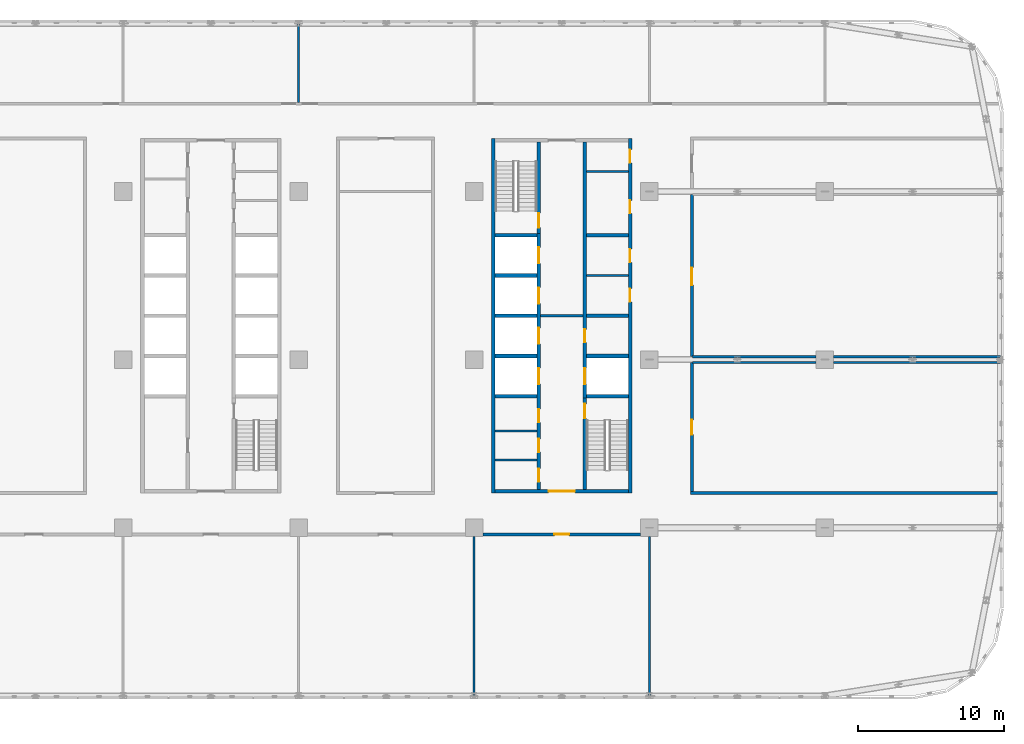
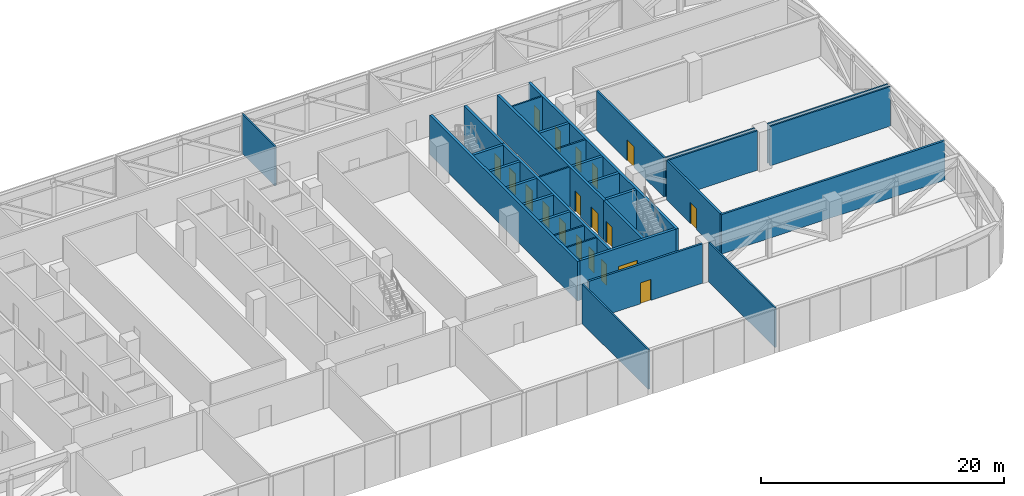
# One storey, part 12 of 26: 32 walls, 19 doors, 19 openings.
"""IFC4 building model written with IfcOpenShell, lengths in metres."""

from ifc_helpers import new_model, si_unit, direction, frame, frame_2d, origin, place, context, subcontext, project, spatial, rectangle, extrude, material, layer, layer_set, type_object, element, fill, save


model = new_model("IFC4")

# Units and contexts
model_context = context("Model", 3, precision=1e-05, world=origin(), true_north=direction((0.0, 1.0)))
body_context = subcontext(model_context, "Body", "Model", "MODEL_VIEW")
ifc_project = project(units=[si_unit("LENGTHUNIT", "METRE"), si_unit("AREAUNIT", "SQUARE_METRE"), si_unit("VOLUMEUNIT", "CUBIC_METRE"), si_unit("PLANEANGLEUNIT", "RADIAN"), si_unit("MASSUNIT", "GRAM", prefix="KILO")], contexts=[model_context])

# Site, building, storey
site_placement = place(None, origin())
site = spatial("IfcSite", under=ifc_project, at=site_placement, CompositionType="ELEMENT")
building_placement = place(site_placement, origin())
building = spatial("IfcBuilding", under=site, at=building_placement, Name="Mahtab Terrace Research Tower", CompositionType="ELEMENT")
storey_placement = place(building_placement, frame((0.0, 0.0, 189.60009765625)))
storey = spatial("IfcBuildingStorey", under=building, at=storey_placement, Name="L45", CompositionType="ELEMENT", Elevation=189.60009765625)

# Walls
ifc_material_1 = material(Name="Gypsum board partition")
ifc_layer_1 = layer(ifc_material_1, 0.14990234375)
ifc_layer_set_1 = layer_set([ifc_layer_1], Name="Core partition 150")
wall_type_1 = type_object("IfcWallType", Name="Core partition 150", PredefinedType="PARTITIONING", material=ifc_layer_set_1)
wall_1_placement = place(storey_placement, frame((22.550048828125, 3.0, 0.0), z_axis=(0.0, 0.0, 1.0), x_axis=(1.0, 0.0, 0.0)))
element("IfcWall", 1, at=wall_1_placement, inside=storey, type_object=wall_type_1, Name="Core wall C ffl", PredefinedType="PARTITIONING", context=body_context, shape_type="SweptSolid", body=[
    extrude(rectangle(XDim=2.89990234375, YDim=0.14990234375, at=frame_2d((1.449951171875, 0.0))), origin(), (0.0, 0.0, 1.0), 3.9599609375),
])
for number, where, z_axis, x_axis, name in (
    (2, (25.699951171875, 5.75, 0.0), (0.0, 0.0, 1.0), (1.0, 0.0, 0.0), "Core wall C pEL275"),
    (3, (19.449951171875, -6.875, 0.0), (0.0, 0.0, 1.0), (1.0, 0.0, 0.0), "Core wall C pWS-988"),
    (4, (19.449951171875, -4.875, 0.0), (0.0, 0.0, 1.0), (1.0, 0.0, 0.0), "Core wall C pWS-788"),
    (5, (25.699951171875, 12.875, 0.0), (0.0, 0.0, 1.0), (1.0, 0.0, 0.0), "Core wall C pEN988"),
):
    element("IfcWall", number, at=place(storey_placement, frame(where, z_axis=z_axis, x_axis=x_axis)), inside=storey, type_object=wall_type_1, Name=name, PredefinedType="PARTITIONING", context=body_context, shape_type="SweptSolid", body=[
        extrude(rectangle(XDim=2.85009765625, YDim=0.14990234375, at=frame_2d((1.425048828125, 0.0))), origin(), (0.0, 0.0, 1.0), 3.9599609375),
    ])
ifc_material_2 = material(Name="Concrete C70/85", Category="concrete")
ifc_layer_2 = layer(ifc_material_2, 0.25)
ifc_layer_set_2 = layer_set([ifc_layer_2], Name="Core wall 250")
wall_type_2 = type_object("IfcWallType", Name="Core wall 250", PredefinedType="SOLIDWALL", material=ifc_layer_set_2)
wall_2_placement = place(storey_placement, frame((19.324951171875, 15.125, 0.0), z_axis=(0.0, 0.0, 1.0), x_axis=(0.0, -1.0, 0.0)))
element("IfcWall", 6, at=wall_2_placement, inside=storey, type_object=wall_type_2, Name="Core wall C outerW", PredefinedType="SOLIDWALL", context=body_context, shape_type="SweptSolid", body=[
    extrude(rectangle(XDim=24.25, YDim=0.25, at=frame_2d((12.125, 0.0))), origin(), (0.0, 0.0, 1.0), 3.9599609375),
])

# Wall, openings, doors
wall_3_placement = place(storey_placement, frame((28.675048828125, -9.125, 0.0), z_axis=(0.0, 0.0, 1.0), x_axis=(0.0, 1.0, 0.0)))
wall_3 = element("IfcWall", 7, at=wall_3_placement, inside=storey, type_object=wall_type_2, Name="Core wall C outerE", PredefinedType="SOLIDWALL", context=body_context, shape_type="SweptSolid", body=[
    extrude(rectangle(XDim=24.25, YDim=0.25, at=frame_2d((12.125, 0.0))), origin(), (0.0, 0.0, 1.0), 3.9599609375),
])
opening_1_placement = place(wall_3_placement, frame((13.074951171875, 0.0, 0.0)))
opening_1 = element("IfcOpeningElement", 8, at=opening_1_placement, cuts=wall_3, Name="Opening C-R2", PredefinedType="OPENING", context=body_context, shape_type="SweptSolid", body=[
    extrude(rectangle(XDim=0.89990234375, YDim=2.10009765625, at=frame_2d((0.449951171875, 1.050048828125))), frame((0.0, 0.135009765625, 0.0), z_axis=(0.0, -1.0, 0.0), x_axis=(1.0, 0.0, 0.0)), (0.0, 0.0, 1.0), 0.27001953125),
])
opening_2_placement = place(wall_3_placement, frame((15.77490234375, 0.0, 0.0)))
opening_2 = element("IfcOpeningElement", 9, at=opening_2_placement, cuts=wall_3, Name="Opening C-R3", PredefinedType="OPENING", context=body_context, shape_type="SweptSolid", body=[
    extrude(rectangle(XDim=0.89990234375, YDim=2.10009765625, at=frame_2d((0.449951171875, 1.050048828125))), frame((0.0, 0.135009765625, 0.0), z_axis=(0.0, -1.0, 0.0), x_axis=(1.0, 0.0, 0.0)), (0.0, 0.0, 1.0), 0.27001953125),
])
opening_3_placement = place(wall_3_placement, frame((19.125, 0.0, 0.0)))
opening_3 = element("IfcOpeningElement", 10, at=opening_3_placement, cuts=wall_3, Name="Opening C-R7", PredefinedType="OPENING", context=body_context, shape_type="SweptSolid", body=[
    extrude(rectangle(XDim=0.89990234375, YDim=2.10009765625, at=frame_2d((0.449951171875, 1.050048828125))), frame((0.0, 0.135009765625, 0.0), z_axis=(0.0, -1.0, 0.0), x_axis=(1.0, 0.0, 0.0)), (0.0, 0.0, 1.0), 0.27001953125),
])
opening_4_placement = place(wall_3_placement, frame((22.58740234375, 0.0, 0.0)))
opening_4 = element("IfcOpeningElement", 11, at=opening_4_placement, cuts=wall_3, Name="Opening C-R8", PredefinedType="OPENING", context=body_context, shape_type="SweptSolid", body=[
    extrude(rectangle(XDim=0.89990234375, YDim=2.10009765625, at=frame_2d((0.449951171875, 1.050048828125))), frame((0.0, 0.135009765625, 0.0), z_axis=(0.0, -1.0, 0.0), x_axis=(1.0, 0.0, 0.0)), (0.0, 0.0, 1.0), 0.27001953125),
])
ifc_material_3 = material(Name="Steel fire door", Category="steel")
door_type_1 = type_object("IfcDoorType", Name="Room door 900x2100 1 HR", OperationType="NOTDEFINED", PredefinedType="DOOR", material=ifc_material_3)
door_1_placement = place(opening_1_placement, origin())
door_1 = element("IfcDoor", 12, at=door_1_placement, inside=storey, type_object=door_type_1, Name="Document store door", OperationType="SINGLE_SWING_RIGHT", OverallHeight=2.10009765625, OverallWidth=0.89990234375, PredefinedType="DOOR", context=body_context, shape_type="SweptSolid", body=[
    extrude(rectangle(XDim=0.89990234375, YDim=2.10009765625, at=frame_2d((0.449951171875, 1.050048828125))), frame((0.0, 0.02490234375, 0.0), z_axis=(0.0, -1.0, 0.0), x_axis=(1.0, 0.0, 0.0)), (0.0, 0.0, 1.0), 0.050048828125),
])
fill(opening_1, door_1)
door_2_placement = place(opening_2_placement, origin())
door_2 = element("IfcDoor", 13, at=door_2_placement, inside=storey, type_object=door_type_1, Name="IT equipment room door", OperationType="SINGLE_SWING_LEFT", OverallHeight=2.10009765625, OverallWidth=0.89990234375, PredefinedType="DOOR", context=body_context, shape_type="SweptSolid", body=[
    extrude(rectangle(XDim=0.89990234375, YDim=2.10009765625, at=frame_2d((0.449951171875, 1.050048828125))), frame((0.0, 0.02490234375, 0.0), z_axis=(0.0, -1.0, 0.0), x_axis=(1.0, 0.0, 0.0)), (0.0, 0.0, 1.0), 0.050048828125),
])
fill(opening_2, door_2)
door_3_placement = place(opening_3_placement, origin())
door_3 = element("IfcDoor", 14, at=door_3_placement, inside=storey, type_object=door_type_1, Name="IT equipment room door", OperationType="SINGLE_SWING_LEFT", OverallHeight=2.10009765625, OverallWidth=0.89990234375, PredefinedType="DOOR", context=body_context, shape_type="SweptSolid", body=[
    extrude(rectangle(XDim=0.89990234375, YDim=2.10009765625, at=frame_2d((0.449951171875, 1.050048828125))), frame((0.0, 0.02490234375, 0.0), z_axis=(0.0, -1.0, 0.0), x_axis=(1.0, 0.0, 0.0)), (0.0, 0.0, 1.0), 0.050048828125),
])
fill(opening_3, door_3)
door_4_placement = place(opening_4_placement, origin())
door_4 = element("IfcDoor", 15, at=door_4_placement, inside=storey, type_object=door_type_1, Name="Electrical riser room door", OperationType="SINGLE_SWING_RIGHT", OverallHeight=2.10009765625, OverallWidth=0.89990234375, PredefinedType="DOOR", context=body_context, shape_type="SweptSolid", body=[
    extrude(rectangle(XDim=0.89990234375, YDim=2.10009765625, at=frame_2d((0.449951171875, 1.050048828125))), frame((0.0, 0.02490234375, 0.0), z_axis=(0.0, -1.0, 0.0), x_axis=(1.0, 0.0, 0.0)), (0.0, 0.0, 1.0), 0.050048828125),
])
fill(opening_4, door_4)

# Wall, opening, door
wall_4_placement = place(storey_placement, frame((28.550048828125, -9.0, 0.0), z_axis=(0.0, 0.0, 1.0), x_axis=(-1.0, 0.0, 0.0)))
wall_4 = element("IfcWall", 16, at=wall_4_placement, inside=storey, type_object=wall_type_2, Name="Core wall C endS", PredefinedType="SOLIDWALL", context=body_context, shape_type="SweptSolid", body=[
    extrude(rectangle(XDim=9.10009765625, YDim=0.25, at=frame_2d((4.550048828125, 0.0))), origin(), (0.0, 0.0, 1.0), 3.9599609375),
])
opening_5_placement = place(wall_4_placement, frame((3.64990234375, 0.0, 0.0)))
opening_5 = element("IfcOpeningElement", 17, at=opening_5_placement, cuts=wall_4, Name="Opening C-S1", PredefinedType="OPENING", context=body_context, shape_type="SweptSolid", body=[
    extrude(rectangle(XDim=1.800048828125, YDim=2.10009765625, at=frame_2d((0.89990234375, 1.050048828125))), frame((0.0, 0.135009765625, 0.0), z_axis=(0.0, -1.0, 0.0), x_axis=(1.0, 0.0, 0.0)), (0.0, 0.0, 1.0), 0.27001953125),
])
door_type_2 = type_object("IfcDoorType", Name="Lobby double door 1800x2100 1 HR", OperationType="DOUBLE_DOOR_SINGLE_SWING", PredefinedType="DOOR", material=ifc_material_3)
door_5_placement = place(opening_5_placement, origin())
door_5 = element("IfcDoor", 18, at=door_5_placement, inside=storey, type_object=door_type_2, Name="Core entrance door C S", OperationType="DOUBLE_DOOR_SINGLE_SWING", OverallHeight=2.10009765625, OverallWidth=1.800048828125, PredefinedType="DOOR", context=body_context, shape_type="SweptSolid", body=[
    extrude(rectangle(XDim=1.800048828125, YDim=2.10009765625, at=frame_2d((0.89990234375, 1.050048828125))), frame((0.0, 0.02490234375, 0.0), z_axis=(0.0, -1.0, 0.0), x_axis=(1.0, 0.0, 0.0)), (0.0, 0.0, 1.0), 0.050048828125),
])
fill(opening_5, door_5)

# Wall, openings, doors
wall_5_placement = place(storey_placement, frame((22.425048828125, -8.875, 0.0), z_axis=(0.0, 0.0, 1.0), x_axis=(0.0, 1.0, 0.0)))
wall_5 = element("IfcWall", 19, at=wall_5_placement, inside=storey, type_object=wall_type_2, Name="Core wall C innerWSL", PredefinedType="SOLIDWALL", context=body_context, shape_type="SweptSolid", body=[
    extrude(rectangle(XDim=17.5, YDim=0.25, at=frame_2d((8.75, 0.0))), origin(), (0.0, 0.0, 1.0), 3.9599609375),
])
opening_6_placement = place(wall_5_placement, frame((7.199951171875, 0.0, 0.0)))
opening_6 = element("IfcOpeningElement", 20, at=opening_6_placement, cuts=wall_5, Name="Opening LD17-L45", PredefinedType="OPENING", context=body_context, shape_type="SweptSolid", body=[
    extrude(rectangle(XDim=1.10009765625, YDim=2.10009765625, at=frame_2d((0.550048828125, 1.050048828125))), frame((0.0, 0.135009765625, 0.0), z_axis=(0.0, -1.0, 0.0), x_axis=(1.0, 0.0, 0.0)), (0.0, 0.0, 1.0), 0.27001953125),
])
opening_7_placement = place(wall_5_placement, frame((9.949951171875, 0.0, 0.0)))
opening_7 = element("IfcOpeningElement", 21, at=opening_7_placement, cuts=wall_5, Name="Opening LD18-L45", PredefinedType="OPENING", context=body_context, shape_type="SweptSolid", body=[
    extrude(rectangle(XDim=1.10009765625, YDim=2.10009765625, at=frame_2d((0.550048828125, 1.050048828125))), frame((0.0, 0.135009765625, 0.0), z_axis=(0.0, -1.0, 0.0), x_axis=(1.0, 0.0, 0.0)), (0.0, 0.0, 1.0), 0.27001953125),
])
opening_8_placement = place(wall_5_placement, frame((12.699951171875, 0.0, 0.0)))
opening_8 = element("IfcOpeningElement", 22, at=opening_8_placement, cuts=wall_5, Name="Opening LD19-L45", PredefinedType="OPENING", context=body_context, shape_type="SweptSolid", body=[
    extrude(rectangle(XDim=1.10009765625, YDim=2.10009765625, at=frame_2d((0.550048828125, 1.050048828125))), frame((0.0, 0.135009765625, 0.0), z_axis=(0.0, -1.0, 0.0), x_axis=(1.0, 0.0, 0.0)), (0.0, 0.0, 1.0), 0.27001953125),
])
opening_9_placement = place(wall_5_placement, frame((15.449951171875, 0.0, 0.0)))
opening_9 = element("IfcOpeningElement", 23, at=opening_9_placement, cuts=wall_5, Name="Opening LD20-L45", PredefinedType="OPENING", context=body_context, shape_type="SweptSolid", body=[
    extrude(rectangle(XDim=1.10009765625, YDim=2.10009765625, at=frame_2d((0.550048828125, 1.050048828125))), frame((0.0, 0.135009765625, 0.0), z_axis=(0.0, -1.0, 0.0), x_axis=(1.0, 0.0, 0.0)), (0.0, 0.0, 1.0), 0.27001953125),
])
opening_10_placement = place(wall_5_placement, frame((0.512451171875, 0.0, 0.0)))
opening_10 = element("IfcOpeningElement", 24, at=opening_10_placement, cuts=wall_5, Name="Opening C-R4", PredefinedType="OPENING", context=body_context, shape_type="SweptSolid", body=[
    extrude(rectangle(XDim=0.89990234375, YDim=2.10009765625, at=frame_2d((0.449951171875, 1.050048828125))), frame((0.0, 0.135009765625, 0.0), z_axis=(0.0, -1.0, 0.0), x_axis=(1.0, 0.0, 0.0)), (0.0, 0.0, 1.0), 0.27001953125),
])
opening_11_placement = place(wall_5_placement, frame((2.550048828125, 0.0, 0.0)))
opening_11 = element("IfcOpeningElement", 25, at=opening_11_placement, cuts=wall_5, Name="Opening C-R5", PredefinedType="OPENING", context=body_context, shape_type="SweptSolid", body=[
    extrude(rectangle(XDim=0.89990234375, YDim=2.10009765625, at=frame_2d((0.449951171875, 1.050048828125))), frame((0.0, 0.135009765625, 0.0), z_axis=(0.0, -1.0, 0.0), x_axis=(1.0, 0.0, 0.0)), (0.0, 0.0, 1.0), 0.27001953125),
])
opening_12_placement = place(wall_5_placement, frame((4.58740234375, 0.0, 0.0)))
opening_12 = element("IfcOpeningElement", 26, at=opening_12_placement, cuts=wall_5, Name="Opening C-R6", PredefinedType="OPENING", context=body_context, shape_type="SweptSolid", body=[
    extrude(rectangle(XDim=0.89990234375, YDim=2.10009765625, at=frame_2d((0.449951171875, 1.050048828125))), frame((0.0, 0.135009765625, 0.0), z_axis=(0.0, -1.0, 0.0), x_axis=(1.0, 0.0, 0.0)), (0.0, 0.0, 1.0), 0.27001953125),
])
ifc_material_4 = material(Name="Stainless steel AISI 304", Category="steel")
door_type_3 = type_object("IfcDoorType", Name="Landing door 1100x2100", OperationType="DOUBLE_DOOR_SLIDING", PredefinedType="DOOR", material=ifc_material_4)
door_6_placement = place(opening_6_placement, origin())
door_6 = element("IfcDoor", 27, at=door_6_placement, inside=storey, type_object=door_type_3, Name="Landing door SV1 L45", OperationType="DOUBLE_DOOR_SLIDING", OverallHeight=2.10009765625, OverallWidth=1.10009765625, PredefinedType="DOOR", context=body_context, shape_type="SweptSolid", body=[
    extrude(rectangle(XDim=1.10009765625, YDim=2.10009765625, at=frame_2d((0.550048828125, 1.050048828125))), frame((0.0, 0.02490234375, 0.0), z_axis=(0.0, -1.0, 0.0), x_axis=(1.0, 0.0, 0.0)), (0.0, 0.0, 1.0), 0.050048828125),
])
fill(opening_6, door_6)
door_7_placement = place(opening_7_placement, origin())
door_7 = element("IfcDoor", 28, at=door_7_placement, inside=storey, type_object=door_type_3, Name="Landing door SV2 L45", OperationType="DOUBLE_DOOR_SLIDING", OverallHeight=2.10009765625, OverallWidth=1.10009765625, PredefinedType="DOOR", context=body_context, shape_type="SweptSolid", body=[
    extrude(rectangle(XDim=1.10009765625, YDim=2.10009765625, at=frame_2d((0.550048828125, 1.050048828125))), frame((0.0, 0.02490234375, 0.0), z_axis=(0.0, -1.0, 0.0), x_axis=(1.0, 0.0, 0.0)), (0.0, 0.0, 1.0), 0.050048828125),
])
fill(opening_7, door_7)
door_8_placement = place(opening_8_placement, origin())
door_8 = element("IfcDoor", 29, at=door_8_placement, inside=storey, type_object=door_type_3, Name="Landing door FF1 L45", OperationType="DOUBLE_DOOR_SLIDING", OverallHeight=2.10009765625, OverallWidth=1.10009765625, PredefinedType="DOOR", context=body_context, shape_type="SweptSolid", body=[
    extrude(rectangle(XDim=1.10009765625, YDim=2.10009765625, at=frame_2d((0.550048828125, 1.050048828125))), frame((0.0, 0.02490234375, 0.0), z_axis=(0.0, -1.0, 0.0), x_axis=(1.0, 0.0, 0.0)), (0.0, 0.0, 1.0), 0.050048828125),
])
fill(opening_8, door_8)
door_9_placement = place(opening_9_placement, origin())
door_9 = element("IfcDoor", 30, at=door_9_placement, inside=storey, type_object=door_type_3, Name="Landing door FF2 L45", OperationType="DOUBLE_DOOR_SLIDING", OverallHeight=2.10009765625, OverallWidth=1.10009765625, PredefinedType="DOOR", context=body_context, shape_type="SweptSolid", body=[
    extrude(rectangle(XDim=1.10009765625, YDim=2.10009765625, at=frame_2d((0.550048828125, 1.050048828125))), frame((0.0, 0.02490234375, 0.0), z_axis=(0.0, -1.0, 0.0), x_axis=(1.0, 0.0, 0.0)), (0.0, 0.0, 1.0), 0.050048828125),
])
fill(opening_9, door_9)
door_10_placement = place(opening_10_placement, origin())
door_10 = element("IfcDoor", 31, at=door_10_placement, inside=storey, type_object=door_type_1, Name="Male WC door", OperationType="SINGLE_SWING_RIGHT", OverallHeight=2.10009765625, OverallWidth=0.89990234375, PredefinedType="DOOR", context=body_context, shape_type="SweptSolid", body=[
    extrude(rectangle(XDim=0.89990234375, YDim=2.10009765625, at=frame_2d((0.449951171875, 1.050048828125))), frame((0.0, 0.02490234375, 0.0), z_axis=(0.0, -1.0, 0.0), x_axis=(1.0, 0.0, 0.0)), (0.0, 0.0, 1.0), 0.050048828125),
])
fill(opening_10, door_10)
door_11_placement = place(opening_11_placement, origin())
door_11 = element("IfcDoor", 32, at=door_11_placement, inside=storey, type_object=door_type_1, Name="Female WC door", OperationType="SINGLE_SWING_LEFT", OverallHeight=2.10009765625, OverallWidth=0.89990234375, PredefinedType="DOOR", context=body_context, shape_type="SweptSolid", body=[
    extrude(rectangle(XDim=0.89990234375, YDim=2.10009765625, at=frame_2d((0.449951171875, 1.050048828125))), frame((0.0, 0.02490234375, 0.0), z_axis=(0.0, -1.0, 0.0), x_axis=(1.0, 0.0, 0.0)), (0.0, 0.0, 1.0), 0.050048828125),
])
fill(opening_11, door_11)
door_12_placement = place(opening_12_placement, origin())
door_12 = element("IfcDoor", 33, at=door_12_placement, inside=storey, type_object=door_type_1, Name="Accessible WC door", OperationType="SINGLE_SWING_RIGHT", OverallHeight=2.10009765625, OverallWidth=0.89990234375, PredefinedType="DOOR", context=body_context, shape_type="SweptSolid", body=[
    extrude(rectangle(XDim=0.89990234375, YDim=2.10009765625, at=frame_2d((0.449951171875, 1.050048828125))), frame((0.0, 0.02490234375, 0.0), z_axis=(0.0, -1.0, 0.0), x_axis=(1.0, 0.0, 0.0)), (0.0, 0.0, 1.0), 0.050048828125),
])
fill(opening_12, door_12)

# Wall, opening, door
wall_6_placement = place(storey_placement, frame((22.425048828125, 14.875, 0.0), z_axis=(0.0, 0.0, 1.0), x_axis=(0.0, -1.0, 0.0)))
wall_6 = element("IfcWall", 34, at=wall_6_placement, inside=storey, type_object=wall_type_2, Name="Core wall C innerWN", PredefinedType="SOLIDWALL", context=body_context, shape_type="SweptSolid", body=[
    extrude(rectangle(XDim=6.25, YDim=0.25, at=frame_2d((3.125, 0.0))), origin(), (0.0, 0.0, 1.0), 3.9599609375),
])
opening_13_placement = place(wall_6_placement, frame((4.85009765625, 0.0, 0.0)))
opening_13 = element("IfcOpeningElement", 35, at=opening_13_placement, cuts=wall_6, Name="Opening C-ST3", PredefinedType="OPENING", context=body_context, shape_type="SweptSolid", body=[
    extrude(rectangle(XDim=1.0, YDim=2.10009765625, at=frame_2d((0.5, 1.050048828125))), frame((0.0, 0.135009765625, 0.0), z_axis=(0.0, -1.0, 0.0), x_axis=(1.0, 0.0, 0.0)), (0.0, 0.0, 1.0), 0.27001953125),
])
door_type_4 = type_object("IfcDoorType", Name="Stair door 1000x2100 1.5 HR", OperationType="NOTDEFINED", PredefinedType="DOOR", material=ifc_material_3)
door_13_placement = place(opening_13_placement, origin())
door_13 = element("IfcDoor", 36, at=door_13_placement, inside=storey, type_object=door_type_4, Name="Stair door ST3 L45", OperationType="SINGLE_SWING_LEFT", OverallHeight=2.10009765625, OverallWidth=1.0, PredefinedType="DOOR", context=body_context, shape_type="SweptSolid", body=[
    extrude(rectangle(XDim=1.0, YDim=2.10009765625, at=frame_2d((0.5, 1.050048828125))), frame((0.0, 0.02490234375, 0.0), z_axis=(0.0, -1.0, 0.0), x_axis=(1.0, 0.0, 0.0)), (0.0, 0.0, 1.0), 0.050048828125),
])
fill(opening_13, door_13)

wall_7_placement = place(storey_placement, frame((25.574951171875, -8.875, 0.0), z_axis=(0.0, 0.0, 1.0), x_axis=(0.0, 1.0, 0.0)))
wall_7 = element("IfcWall", 37, at=wall_7_placement, inside=storey, type_object=wall_type_2, Name="Core wall C innerES", PredefinedType="SOLIDWALL", context=body_context, shape_type="SweptSolid", body=[
    extrude(rectangle(XDim=6.25, YDim=0.25, at=frame_2d((3.125, 0.0))), origin(), (0.0, 0.0, 1.0), 3.9599609375),
])
opening_14_placement = place(wall_7_placement, frame((4.85009765625, 0.0, 0.0)))
opening_14 = element("IfcOpeningElement", 38, at=opening_14_placement, cuts=wall_7, Name="Opening C-ST4", PredefinedType="OPENING", context=body_context, shape_type="SweptSolid", body=[
    extrude(rectangle(XDim=1.0, YDim=2.10009765625, at=frame_2d((0.5, 1.050048828125))), frame((0.0, 0.135009765625, 0.0), z_axis=(0.0, -1.0, 0.0), x_axis=(1.0, 0.0, 0.0)), (0.0, 0.0, 1.0), 0.27001953125),
])
door_14_placement = place(opening_14_placement, origin())
door_14 = element("IfcDoor", 39, at=door_14_placement, inside=storey, type_object=door_type_4, Name="Stair door ST4 L45", OperationType="SINGLE_SWING_RIGHT", OverallHeight=2.10009765625, OverallWidth=1.0, PredefinedType="DOOR", context=body_context, shape_type="SweptSolid", body=[
    extrude(rectangle(XDim=1.0, YDim=2.10009765625, at=frame_2d((0.5, 1.050048828125))), frame((0.0, 0.02490234375, 0.0), z_axis=(0.0, -1.0, 0.0), x_axis=(1.0, 0.0, 0.0)), (0.0, 0.0, 1.0), 0.050048828125),
])
fill(opening_14, door_14)

# Wall, openings, doors
wall_8_placement = place(storey_placement, frame((25.574951171875, 14.875, 0.0), z_axis=(0.0, 0.0, 1.0), x_axis=(0.0, -1.0, 0.0)))
wall_8 = element("IfcWall", 40, at=wall_8_placement, inside=storey, type_object=wall_type_2, Name="Core wall C innerELN", PredefinedType="SOLIDWALL", context=body_context, shape_type="SweptSolid", body=[
    extrude(rectangle(XDim=17.5, YDim=0.25, at=frame_2d((8.75, 0.0))), origin(), (0.0, 0.0, 1.0), 3.9599609375),
])
opening_15_placement = place(wall_8_placement, frame((15.449951171875, 0.0, 0.0)))
opening_15 = element("IfcOpeningElement", 41, at=opening_15_placement, cuts=wall_8, Name="Opening LD21-L45", PredefinedType="OPENING", context=body_context, shape_type="SweptSolid", body=[
    extrude(rectangle(XDim=1.10009765625, YDim=2.10009765625, at=frame_2d((0.550048828125, 1.050048828125))), frame((0.0, 0.135009765625, 0.0), z_axis=(0.0, -1.0, 0.0), x_axis=(1.0, 0.0, 0.0)), (0.0, 0.0, 1.0), 0.27001953125),
])
opening_16_placement = place(wall_8_placement, frame((12.800048828125, 0.0, 0.0)))
opening_16 = element("IfcOpeningElement", 42, at=opening_16_placement, cuts=wall_8, Name="Opening C-R1", PredefinedType="OPENING", context=body_context, shape_type="SweptSolid", body=[
    extrude(rectangle(XDim=0.89990234375, YDim=2.10009765625, at=frame_2d((0.449951171875, 1.050048828125))), frame((0.0, 0.135009765625, 0.0), z_axis=(0.0, -1.0, 0.0), x_axis=(1.0, 0.0, 0.0)), (0.0, 0.0, 1.0), 0.27001953125),
])
door_15_placement = place(opening_15_placement, origin())
door_15 = element("IfcDoor", 43, at=door_15_placement, inside=storey, type_object=door_type_3, Name="Landing door SV3 L45", OperationType="DOUBLE_DOOR_SLIDING", OverallHeight=2.10009765625, OverallWidth=1.10009765625, PredefinedType="DOOR", context=body_context, shape_type="SweptSolid", body=[
    extrude(rectangle(XDim=1.10009765625, YDim=2.10009765625, at=frame_2d((0.550048828125, 1.050048828125))), frame((0.0, 0.02490234375, 0.0), z_axis=(0.0, -1.0, 0.0), x_axis=(1.0, 0.0, 0.0)), (0.0, 0.0, 1.0), 0.050048828125),
])
fill(opening_15, door_15)
door_16_placement = place(opening_16_placement, origin())
door_16 = element("IfcDoor", 44, at=door_16_placement, inside=storey, type_object=door_type_1, Name="Plant room door", OperationType="SINGLE_SWING_LEFT", OverallHeight=2.10009765625, OverallWidth=0.89990234375, PredefinedType="DOOR", context=body_context, shape_type="SweptSolid", body=[
    extrude(rectangle(XDim=0.89990234375, YDim=2.10009765625, at=frame_2d((0.449951171875, 1.050048828125))), frame((0.0, 0.02490234375, 0.0), z_axis=(0.0, -1.0, 0.0), x_axis=(1.0, 0.0, 0.0)), (0.0, 0.0, 1.0), 0.050048828125),
])
fill(opening_16, door_16)

# Walls
for number, where, z_axis, x_axis, name in (
    (45, (19.449951171875, -2.5, 0.0), (0.0, 0.0, 1.0), (1.0, 0.0, 0.0), "Core wall C divW0"),
    (46, (19.449951171875, 0.25, 0.0), (0.0, 0.0, 1.0), (1.0, 0.0, 0.0), "Core wall C divW1"),
    (47, (19.449951171875, 3.0, 0.0), (0.0, 0.0, 1.0), (1.0, 0.0, 0.0), "Core wall C divW2"),
    (48, (19.449951171875, 5.75, 0.0), (0.0, 0.0, 1.0), (1.0, 0.0, 0.0), "Core wall C divW3"),
    (49, (19.449951171875, 8.5, 0.0), (0.0, 0.0, 1.0), (1.0, 0.0, 0.0), "Core wall C divW4"),
    (50, (25.699951171875, -2.5, 0.0), (0.0, 0.0, 1.0), (1.0, 0.0, 0.0), "Core wall C divE0"),
    (51, (25.699951171875, 0.25, 0.0), (0.0, 0.0, 1.0), (1.0, 0.0, 0.0), "Core wall C divE1"),
    (52, (25.699951171875, 3.0, 0.0), (0.0, 0.0, 1.0), (1.0, 0.0, 0.0), "Core wall C divE2"),
    (53, (25.699951171875, 8.5, 0.0), (0.0, 0.0, 1.0), (1.0, 0.0, 0.0), "Core wall C divE4"),
):
    element("IfcWall", number, at=place(storey_placement, frame(where, z_axis=z_axis, x_axis=x_axis)), inside=storey, type_object=wall_type_2, Name=name, PredefinedType="SOLIDWALL", context=body_context, shape_type="SweptSolid", body=[
        extrude(rectangle(XDim=2.85009765625, YDim=0.25, at=frame_2d((1.425048828125, 0.0))), origin(), (0.0, 0.0, 1.0), 3.9599609375),
    ])

# Wall, opening, door
ifc_material_5 = material(Name="Gypsum board corridor wall on steel studs", Category="steel")
ifc_layer_3 = layer(ifc_material_5, 0.199951171875)
ifc_layer_set_3 = layer_set([ifc_layer_3], Name="WALL CORRIDOR 200")
wall_type_3 = type_object("IfcWallType", Name="WALL CORRIDOR 200", PredefinedType="PARTITIONING", material=ifc_layer_set_3)
wall_9_placement = place(storey_placement, frame((18.60009765625, -11.949951171875, 0.0), z_axis=(0.0, 0.0, 1.0), x_axis=(1.0, 0.0, 0.0)))
wall_9 = element("IfcWall", 54, at=wall_9_placement, inside=storey, type_object=wall_type_3, Name="L45-W005", PredefinedType="PARTITIONING", context=body_context, shape_type="SweptSolid", body=[
    extrude(rectangle(XDim=10.7998046875, YDim=0.199951171875, at=frame_2d((5.39990234375, 0.0))), origin(), (0.0, 0.0, 1.0), 3.9599609375),
])
opening_17_placement = place(wall_9_placement, frame((4.89990234375, 0.0, 0.0)))
opening_17 = element("IfcOpeningElement", 55, at=opening_17_placement, cuts=wall_9, Name="Opening L45-105", PredefinedType="OPENING", context=body_context, shape_type="SweptSolid", body=[
    extrude(rectangle(XDim=1.0, YDim=2.10009765625, at=frame_2d((0.5, 1.050048828125))), frame((0.0, 0.10986328125, 0.0), z_axis=(0.0, -1.0, 0.0), x_axis=(1.0, 0.0, 0.0)), (0.0, 0.0, 1.0), 0.219970703125),
])
ifc_material_6 = material(Name="Timber door leaf in steel frame", Category="steel")
door_type_5 = type_object("IfcDoorType", Name="DOOR 1000X2100 FD30S", OperationType="SINGLE_SWING_LEFT", PredefinedType="DOOR", material=ifc_material_6)
door_17_placement = place(opening_17_placement, origin())
door_17 = element("IfcDoor", 56, at=door_17_placement, inside=storey, type_object=door_type_5, Name="Door L45-105", OperationType="SINGLE_SWING_LEFT", OverallHeight=2.10009765625, OverallWidth=1.0, PredefinedType="DOOR", context=body_context, shape_type="SweptSolid", body=[
    extrude(rectangle(XDim=1.0, YDim=2.10009765625, at=frame_2d((0.5, 1.050048828125))), frame((0.0, 0.02490234375, 0.0), z_axis=(0.0, -1.0, 0.0), x_axis=(1.0, 0.0, 0.0)), (0.0, 0.0, 1.0), 0.050048828125),
])
fill(opening_17, door_17)

# Wall
wall_10_placement = place(storey_placement, frame((32.800048828125, -9.125, 0.0), z_axis=(0.0, 0.0, 1.0), x_axis=(1.0, 0.0, 0.0)))
element("IfcWall", 57, at=wall_10_placement, inside=storey, type_object=wall_type_3, Name="L45-W010", PredefinedType="PARTITIONING", context=body_context, shape_type="SweptSolid", body=[
    extrude(rectangle(XDim=21.199951171875, YDim=0.199951171875, at=frame_2d((10.60009765625, 0.0))), origin(), (0.0, 0.0, 1.0), 3.9599609375),
])

# Wall, opening, door
wall_11_placement = place(storey_placement, frame((32.89990234375, -9.02490234375, 0.0), z_axis=(0.0, 0.0, 1.0), x_axis=(0.0, 1.0, 0.0)))
wall_11 = element("IfcWall", 58, at=wall_11_placement, inside=storey, type_object=wall_type_3, Name="L45-W045", PredefinedType="PARTITIONING", context=body_context, shape_type="SweptSolid", body=[
    extrude(rectangle(XDim=8.824951171875, YDim=0.199951171875, at=frame_2d((4.41259765625, 0.0))), origin(), (0.0, 0.0, 1.0), 3.9599609375),
])
opening_18_placement = place(wall_11_placement, frame((3.89990234375, 0.0, 0.0)))
opening_18 = element("IfcOpeningElement", 59, at=opening_18_placement, cuts=wall_11, Name="Opening L45-108", PredefinedType="OPENING", context=body_context, shape_type="SweptSolid", body=[
    extrude(rectangle(XDim=1.0, YDim=2.10009765625, at=frame_2d((0.5, 1.050048828125))), frame((0.0, 0.10986328125, 0.0), z_axis=(0.0, -1.0, 0.0), x_axis=(1.0, 0.0, 0.0)), (0.0, 0.0, 1.0), 0.219970703125),
])
door_18_placement = place(opening_18_placement, origin())
door_18 = element("IfcDoor", 60, at=door_18_placement, inside=storey, type_object=door_type_5, Name="Door L45-108", OperationType="SINGLE_SWING_RIGHT", OverallHeight=2.10009765625, OverallWidth=1.0, PredefinedType="DOOR", context=body_context, shape_type="SweptSolid", body=[
    extrude(rectangle(XDim=1.0, YDim=2.10009765625, at=frame_2d((0.5, 1.050048828125))), frame((0.0, 0.02490234375, 0.0), z_axis=(0.0, -1.0, 0.0), x_axis=(1.0, 0.0, 0.0)), (0.0, 0.0, 1.0), 0.050048828125),
])
fill(opening_18, door_18)

wall_12_placement = place(storey_placement, frame((32.89990234375, 0.199951171875, 0.0), z_axis=(0.0, 0.0, 1.0), x_axis=(0.0, 1.0, 0.0)))
wall_12 = element("IfcWall", 61, at=wall_12_placement, inside=storey, type_object=wall_type_3, Name="L45-W046", PredefinedType="PARTITIONING", context=body_context, shape_type="SweptSolid", body=[
    extrude(rectangle(XDim=11.10009765625, YDim=0.199951171875, at=frame_2d((5.550048828125, 0.0))), origin(), (0.0, 0.0, 1.0), 3.9599609375),
])
opening_19_placement = place(wall_12_placement, frame((4.89990234375, 0.0, 0.0)))
opening_19 = element("IfcOpeningElement", 62, at=opening_19_placement, cuts=wall_12, Name="Opening L45-112", PredefinedType="OPENING", context=body_context, shape_type="SweptSolid", body=[
    extrude(rectangle(XDim=1.199951171875, YDim=2.10009765625, at=frame_2d((0.60009765625, 1.050048828125))), frame((0.0, 0.10986328125, 0.0), z_axis=(0.0, -1.0, 0.0), x_axis=(1.0, 0.0, 0.0)), (0.0, 0.0, 1.0), 0.219970703125),
])
door_type_6 = type_object("IfcDoorType", Name="DOOR 1200X2100 FD30S", OperationType="SINGLE_SWING_LEFT", PredefinedType="DOOR", material=ifc_material_6)
door_19_placement = place(opening_19_placement, origin())
door_19 = element("IfcDoor", 63, at=door_19_placement, inside=storey, type_object=door_type_6, Name="Door L45-112", OperationType="SINGLE_SWING_RIGHT", OverallHeight=2.10009765625, OverallWidth=1.199951171875, PredefinedType="DOOR", context=body_context, shape_type="SweptSolid", body=[
    extrude(rectangle(XDim=1.199951171875, YDim=2.10009765625, at=frame_2d((0.60009765625, 1.050048828125))), frame((0.0, 0.02490234375, 0.0), z_axis=(0.0, -1.0, 0.0), x_axis=(1.0, 0.0, 0.0)), (0.0, 0.0, 1.0), 0.050048828125),
])
fill(opening_19, door_19)

# Walls
ifc_material_7 = material(Name="Gypsum board partition on steel studs", Category="steel")
ifc_layer_4 = layer(ifc_material_7, 0.14990234375)
ifc_layer_set_4 = layer_set([ifc_layer_4], Name="WALL PARTITION 150")
wall_type_4 = type_object("IfcWallType", Name="WALL PARTITION 150", PredefinedType="PARTITIONING", material=ifc_layer_set_4)
wall_13_placement = place(storey_placement, frame((32.949951171875, -0.199951171875, 0.0), z_axis=(0.0, 0.0, 1.0), x_axis=(1.0, 0.0, 0.0)))
element("IfcWall", 64, at=wall_13_placement, inside=storey, type_object=wall_type_4, Name="L45-W011", PredefinedType="PARTITIONING", context=body_context, shape_type="SweptSolid", body=[
    extrude(rectangle(XDim=8.449951171875, YDim=0.14990234375, at=frame_2d((4.22509765625, 0.0))), origin(), (0.0, 0.0, 1.0), 3.9599609375),
])
wall_14_placement = place(storey_placement, frame((42.60009765625, -0.199951171875, 0.0), z_axis=(0.0, 0.0, 1.0), x_axis=(1.0, 0.0, 0.0)))
element("IfcWall", 65, at=wall_14_placement, inside=storey, type_object=wall_type_4, Name="L45-W012", PredefinedType="PARTITIONING", context=body_context, shape_type="SweptSolid", body=[
    extrude(rectangle(XDim=11.39990234375, YDim=0.14990234375, at=frame_2d((5.699951171875, 0.0))), origin(), (0.0, 0.0, 1.0), 3.9599609375),
])
wall_15_placement = place(storey_placement, frame((32.949951171875, 0.199951171875, 0.0), z_axis=(0.0, 0.0, 1.0), x_axis=(1.0, 0.0, 0.0)))
element("IfcWall", 66, at=wall_15_placement, inside=storey, type_object=wall_type_4, Name="L45-W013", PredefinedType="PARTITIONING", context=body_context, shape_type="SweptSolid", body=[
    extrude(rectangle(XDim=8.449951171875, YDim=0.14990234375, at=frame_2d((4.22509765625, 0.0))), origin(), (0.0, 0.0, 1.0), 3.9599609375),
])
wall_16_placement = place(storey_placement, frame((42.60009765625, 0.199951171875, 0.0), z_axis=(0.0, 0.0, 1.0), x_axis=(1.0, 0.0, 0.0)))
element("IfcWall", 67, at=wall_16_placement, inside=storey, type_object=wall_type_4, Name="L45-W014", PredefinedType="PARTITIONING", context=body_context, shape_type="SweptSolid", body=[
    extrude(rectangle(XDim=11.39990234375, YDim=0.14990234375, at=frame_2d((5.699951171875, 0.0))), origin(), (0.0, 0.0, 1.0), 3.9599609375),
])
wall_17_placement = place(storey_placement, frame((6.0, 17.60009765625, 0.0), z_axis=(0.0, 0.0, 1.0), x_axis=(0.0, 1.0, 0.0)))
element("IfcWall", 68, at=wall_17_placement, inside=storey, type_object=wall_type_4, Name="L45-W038", PredefinedType="PARTITIONING", context=body_context, shape_type="SweptSolid", body=[
    extrude(rectangle(XDim=5.39990234375, YDim=0.14990234375, at=frame_2d((2.699951171875, 0.0))), origin(), (0.0, 0.0, 1.0), 3.9599609375),
])
for number, where, z_axis, x_axis, name in (
    (69, (18.0, -23.0, 0.0), (0.0, 0.0, 1.0), (0.0, 1.0, 0.0), "L45-W041"),
    (70, (30.0, -23.0, 0.0), (0.0, 0.0, 1.0), (0.0, 1.0, 0.0), "L45-W043"),
):
    element("IfcWall", number, at=place(storey_placement, frame(where, z_axis=z_axis, x_axis=x_axis)), inside=storey, type_object=wall_type_4, Name=name, PredefinedType="PARTITIONING", context=body_context, shape_type="SweptSolid", body=[
        extrude(rectangle(XDim=10.89990234375, YDim=0.14990234375, at=frame_2d((5.449951171875, 0.0))), origin(), (0.0, 0.0, 1.0), 3.9599609375),
    ])

save(model, "model.ifc")
